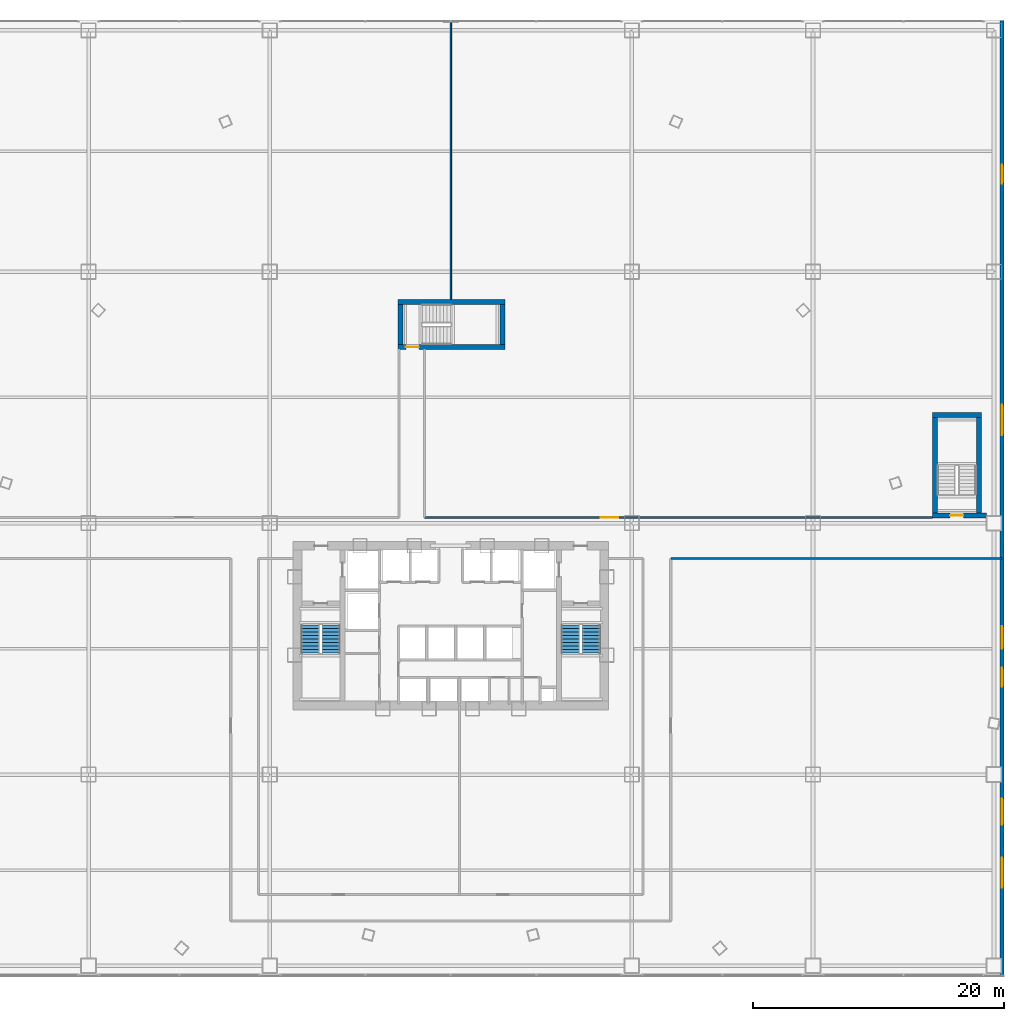
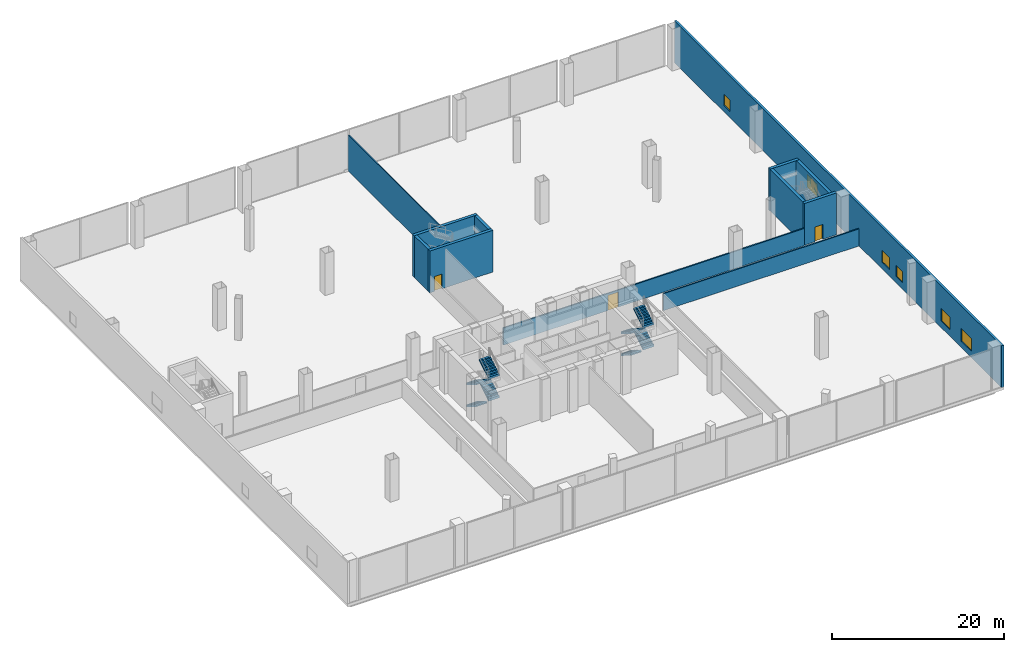
# One storey, part 36 of 41: 12 walls, 8 stair flights, 6 windows, 3 doors, 9 openings, 2 elements without a shape of their own.
"""IFC4 building model written with IfcOpenShell, lengths in metres."""

from ifc_helpers import new_model, si_unit, direction, frame, frame_2d, origin, origin_with_axes, place, context, subcontext, project, spatial, polyline, rectangle, outline, extrude, source, transform, mapped, material, layer, layer_set, type_object, element, fill, aggregate, save


model = new_model("IFC4")

# Units and contexts
model_context = context("Model", 3, precision=1e-05, world=origin(), true_north=direction((0.0, 1.0)))
body_context = subcontext(model_context, "Body", "Model", "MODEL_VIEW")
ifc_project = project(units=[si_unit("LENGTHUNIT", "METRE"), si_unit("AREAUNIT", "SQUARE_METRE"), si_unit("VOLUMEUNIT", "CUBIC_METRE"), si_unit("PLANEANGLEUNIT", "RADIAN"), si_unit("MASSUNIT", "GRAM", prefix="KILO"), si_unit("THERMODYNAMICTEMPERATUREUNIT", "KELVIN"), si_unit("POWERUNIT", "WATT")], contexts=[model_context])

# Site, building, storey
site_placement = place(None, origin())
site = spatial("IfcSite", under=ifc_project, at=site_placement, CompositionType="ELEMENT")
building_placement = place(site_placement, origin())
building = spatial("IfcBuilding", under=site, at=building_placement, Name="Yunzhuo Pagoda Commons", CompositionType="ELEMENT")
storey_placement = place(building_placement, frame((0.0, 0.0, 19.199951171875)))
storey = spatial("IfcBuildingStorey", under=building, at=storey_placement, Name="L05", CompositionType="ELEMENT", Elevation=19.199951171875)

# Wall, openings, windows
ifc_material_1 = material(Name="Precast concrete C40", Category="concrete")
ifc_layer_1 = layer(ifc_material_1, 0.300048828125)
ifc_layer_set_1 = layer_set([ifc_layer_1], Name="Precast concrete C40")
wall_type_1 = type_object("IfcWallType", Name="W-EXT1 Podium Precast Spandrel Wall 300", PredefinedType="STANDARD", material=ifc_layer_set_1)
wall_1_placement = place(storey_placement, frame((91.85009765625, 6.0, 0.0), z_axis=(0.0, 0.0, 1.0), x_axis=(0.0, 1.0, 0.0)))
wall_1 = element("IfcWall", 1, at=wall_1_placement, inside=storey, type_object=wall_type_1, Name="L05 E precast spandrel wall", PredefinedType="STANDARD", context=body_context, shape_type="SweptSolid", body=[
    extrude(rectangle(XDim=76.0, YDim=0.300048828125, at=frame_2d((38.0, 0.0))), origin(), (0.0, 0.0, 1.0), 5.920166015625),
])
opening_1_placement = place(wall_1_placement, frame((7.0, 0.0, 0.89990234375)))
opening_1 = element("IfcOpeningElement", 2, at=opening_1_placement, cuts=wall_1, Name="Opening W-01", PredefinedType="OPENING", context=body_context, shape_type="SweptSolid", body=[
    extrude(rectangle(XDim=2.39990234375, YDim=1.800048828125, at=frame_2d((1.199951171875, 0.89990234375))), frame((0.0, 0.16015625, 0.0), z_axis=(0.0, -1.0, 0.0), x_axis=(1.0, 0.0, 0.0)), (0.0, 0.0, 1.0), 0.320068359375),
])
opening_2_placement = place(wall_1_placement, frame((23.0, 0.0, 0.89990234375)))
opening_2 = element("IfcOpeningElement", 3, at=opening_2_placement, cuts=wall_1, Name="Opening W-02", PredefinedType="OPENING", context=body_context, shape_type="SweptSolid", body=[
    extrude(rectangle(XDim=1.5, YDim=1.60009765625, at=frame_2d((0.75, 0.800048828125))), frame((0.0, 0.16015625, 0.0), z_axis=(0.0, -1.0, 0.0), x_axis=(1.0, 0.0, 0.0)), (0.0, 0.0, 1.0), 0.320068359375),
])
opening_3_placement = place(wall_1_placement, frame((43.0, 0.0, 0.89990234375)))
opening_3 = element("IfcOpeningElement", 4, at=opening_3_placement, cuts=wall_1, Name="Opening W-01", PredefinedType="OPENING", context=body_context, shape_type="SweptSolid", body=[
    extrude(rectangle(XDim=2.39990234375, YDim=1.800048828125, at=frame_2d((1.199951171875, 0.89990234375))), frame((0.0, 0.16015625, 0.0), z_axis=(0.0, -1.0, 0.0), x_axis=(1.0, 0.0, 0.0)), (0.0, 0.0, 1.0), 0.320068359375),
])
opening_4_placement = place(wall_1_placement, frame((63.0, 0.0, 0.89990234375)))
opening_4 = element("IfcOpeningElement", 5, at=opening_4_placement, cuts=wall_1, Name="Opening W-02", PredefinedType="OPENING", context=body_context, shape_type="SweptSolid", body=[
    extrude(rectangle(XDim=1.5, YDim=1.60009765625, at=frame_2d((0.75, 0.800048828125))), frame((0.0, 0.16015625, 0.0), z_axis=(0.0, -1.0, 0.0), x_axis=(1.0, 0.0, 0.0)), (0.0, 0.0, 1.0), 0.320068359375),
])
opening_5_placement = place(wall_1_placement, frame((12.0, 0.0, 0.949951171875)))
opening_5 = element("IfcOpeningElement", 6, at=opening_5_placement, cuts=wall_1, Name="Opening W-03", PredefinedType="OPENING", context=body_context, shape_type="SweptSolid", body=[
    extrude(rectangle(XDim=2.10009765625, YDim=1.75, at=frame_2d((1.050048828125, 0.875))), frame((0.0, 0.16015625, 0.0), z_axis=(0.0, -1.0, 0.0), x_axis=(1.0, 0.0, 0.0)), (0.0, 0.0, 1.0), 0.320068359375),
])
opening_6_placement = place(wall_1_placement, frame((26.0, 0.0, 0.949951171875)))
opening_6 = element("IfcOpeningElement", 7, at=opening_6_placement, cuts=wall_1, Name="Opening W-04", PredefinedType="OPENING", context=body_context, shape_type="SweptSolid", body=[
    extrude(rectangle(XDim=1.800048828125, YDim=1.699951171875, at=frame_2d((0.89990234375, 0.85009765625))), frame((0.0, 0.16015625, 0.0), z_axis=(0.0, -1.0, 0.0), x_axis=(1.0, 0.0, 0.0)), (0.0, 0.0, 1.0), 0.320068359375),
])
ifc_material_2 = material(Name="Tempered low-e double glazing", Category="glass")
window_type_1 = type_object("IfcWindowType", Name="W-01 Podium Fixed Ribbon Window 2400x1800", PartitioningType="DOUBLE_PANEL_VERTICAL", PredefinedType="WINDOW", material=ifc_material_2)
shared_shape_1 = source(origin(), body_context, "Body", "SweptSolid", [
    extrude(rectangle(XDim=2.39990234375, YDim=1.800048828125, at=frame_2d((1.199951171875, 0.89990234375))), frame((0.0, 0.030029296875, 0.0), z_axis=(0.0, -1.0, 0.0), x_axis=(1.0, 0.0, 0.0)), (0.0, 0.0, 1.0), 0.06005859375),
])
window_1_placement = place(opening_1_placement, origin_with_axes())
window_1 = element("IfcWindow", 8, at=window_1_placement, inside=storey, type_object=window_type_1, Name="L05 E window 1", OverallHeight=1.800048828125, OverallWidth=2.39990234375, PartitioningType="SINGLE_PANEL", PredefinedType="WINDOW", context=body_context, shape_type="MappedRepresentation", body=[
    mapped(shared_shape_1, transform((0.0, 0.0, 0.0), scale=1.0)),
])
fill(opening_1, window_1)
window_2_placement = place(opening_3_placement, origin_with_axes())
window_2 = element("IfcWindow", 9, at=window_2_placement, inside=storey, type_object=window_type_1, Name="L05 E window 3", OverallHeight=1.800048828125, OverallWidth=2.39990234375, PartitioningType="SINGLE_PANEL", PredefinedType="WINDOW", context=body_context, shape_type="MappedRepresentation", body=[
    mapped(shared_shape_1, transform((0.0, 0.0, 0.0), scale=1.0)),
])
fill(opening_3, window_2)
window_type_2 = type_object("IfcWindowType", Name="W-02 Podium Casement Window 1500x1600", PartitioningType="SINGLE_PANEL", PredefinedType="WINDOW", material=ifc_material_2)
shared_shape_2 = source(origin(), body_context, "Body", "SweptSolid", [
    extrude(rectangle(XDim=1.5, YDim=1.60009765625, at=frame_2d((0.75, 0.800048828125))), frame((0.0, 0.030029296875, 0.0), z_axis=(0.0, -1.0, 0.0), x_axis=(1.0, 0.0, 0.0)), (0.0, 0.0, 1.0), 0.06005859375),
])
window_3_placement = place(opening_2_placement, origin_with_axes())
window_3 = element("IfcWindow", 10, at=window_3_placement, inside=storey, type_object=window_type_2, Name="L05 E window 2", OverallHeight=1.60009765625, OverallWidth=1.5, PartitioningType="SINGLE_PANEL", PredefinedType="WINDOW", context=body_context, shape_type="MappedRepresentation", body=[
    mapped(shared_shape_2, transform((0.0, 0.0, 0.0), scale=1.0)),
])
fill(opening_2, window_3)
window_4_placement = place(opening_4_placement, origin_with_axes())
window_4 = element("IfcWindow", 11, at=window_4_placement, inside=storey, type_object=window_type_2, Name="L05 E window 4", OverallHeight=1.60009765625, OverallWidth=1.5, PartitioningType="SINGLE_PANEL", PredefinedType="WINDOW", context=body_context, shape_type="MappedRepresentation", body=[
    mapped(shared_shape_2, transform((0.0, 0.0, 0.0), scale=1.0)),
])
fill(opening_4, window_4)
window_type_3 = type_object("IfcWindowType", Name="W-03 Podium Acoustic Window 2100x1750", PartitioningType="SINGLE_PANEL", PredefinedType="WINDOW", material=ifc_material_2)
shared_shape_3 = source(origin(), body_context, "Body", "SweptSolid", [
    extrude(rectangle(XDim=2.10009765625, YDim=1.75, at=frame_2d((1.050048828125, 0.875))), frame((0.0, 0.030029296875, 0.0), z_axis=(0.0, -1.0, 0.0), x_axis=(1.0, 0.0, 0.0)), (0.0, 0.0, 1.0), 0.06005859375),
])
window_5_placement = place(opening_5_placement, origin_with_axes())
window_5 = element("IfcWindow", 12, at=window_5_placement, inside=storey, type_object=window_type_3, Name="L05 east acoustic window 1", OverallHeight=1.75, OverallWidth=2.10009765625, PartitioningType="SINGLE_PANEL", PredefinedType="WINDOW", context=body_context, shape_type="MappedRepresentation", body=[
    mapped(shared_shape_3, transform((0.0, 0.0, 0.0), scale=1.0)),
])
fill(opening_5, window_5)
window_type_4 = type_object("IfcWindowType", Name="W-04 Podium Acoustic Window 1800x1700", PartitioningType="SINGLE_PANEL", PredefinedType="WINDOW", material=ifc_material_2)
shared_shape_4 = source(origin(), body_context, "Body", "SweptSolid", [
    extrude(rectangle(XDim=1.800048828125, YDim=1.699951171875, at=frame_2d((0.89990234375, 0.85009765625))), frame((0.0, 0.030029296875, 0.0), z_axis=(0.0, -1.0, 0.0), x_axis=(1.0, 0.0, 0.0)), (0.0, 0.0, 1.0), 0.06005859375),
])
window_6_placement = place(opening_6_placement, origin_with_axes())
window_6 = element("IfcWindow", 13, at=window_6_placement, inside=storey, type_object=window_type_4, Name="L05 east acoustic window 2", OverallHeight=1.699951171875, OverallWidth=1.800048828125, PartitioningType="SINGLE_PANEL", PredefinedType="WINDOW", context=body_context, shape_type="MappedRepresentation", body=[
    mapped(shared_shape_4, transform((0.0, 0.0, 0.0), scale=1.0)),
])
fill(opening_6, window_6)

# Wall
ifc_material_3 = material(Name="Gypsum plasterboard on acoustic stud")
ifc_layer_2 = layer(ifc_material_3, 0.1201171875)
ifc_layer_set_2 = layer_set([ifc_layer_2], Name="Gypsum plasterboard on acoustic stud")
wall_type_2 = type_object("IfcWallType", Name="W-PRT1 Suite & Bathroom Partition 120", PredefinedType="PARTITIONING", material=ifc_layer_set_2)
wall_2_placement = place(storey_placement, frame((48.0, 59.800048828125, 0.0), z_axis=(0.0, 0.0, 1.0), x_axis=(0.0, 1.0, 0.0)))
element("IfcWall", 14, at=wall_2_placement, inside=storey, type_object=wall_type_2, Name="L05 interior wall IW-L05-SPNN", PredefinedType="PARTITIONING", context=body_context, shape_type="SweptSolid", body=[
    extrude(rectangle(XDim=22.099853515625, YDim=0.1201171875, at=frame_2d((11.0498046875, 0.0))), origin(), (0.0, 0.0, 1.0), 5.1201171875),
])

# Wall, opening, door
ifc_layer_3 = layer(ifc_material_3, 0.179931640625)
ifc_layer_set_3 = layer_set([ifc_layer_3], Name="Gypsum plasterboard on acoustic stud")
wall_type_3 = type_object("IfcWallType", Name="W-PRT2 Acoustic Unit Demising Wall 180", PredefinedType="PARTITIONING", material=ifc_layer_set_3)
wall_3_placement = place(storey_placement, frame((45.919921875, 42.449951171875, 0.0), z_axis=(0.0, 0.0, 1.0), x_axis=(1.0, 0.0, 0.0)))
wall_3 = element("IfcWall", 15, at=wall_3_placement, inside=storey, type_object=wall_type_3, Name="L05 interior wall IW-L05-PNWE", PredefinedType="PARTITIONING", context=body_context, shape_type="SweptSolid", body=[
    extrude(rectangle(XDim=40.380126953125, YDim=0.179931640625, at=frame_2d((20.18994140625, 0.0))), origin(), (0.0, 0.0, 1.0), 2.420166015625),
])
opening_7_placement = place(wall_3_placement, frame((14.0, 0.0, 0.0)))
opening_7 = element("IfcOpeningElement", 16, at=opening_7_placement, cuts=wall_3, Name="Opening D-10", PredefinedType="OPENING", context=body_context, shape_type="SweptSolid", body=[
    extrude(rectangle(XDim=1.39990234375, YDim=2.14990234375, at=frame_2d((0.699951171875, 1.074951171875))), frame((0.0, 0.10009765625, 0.0), z_axis=(0.0, -1.0, 0.0), x_axis=(1.0, 0.0, 0.0)), (0.0, 0.0, 1.0), 0.199951171875),
])
ifc_material_4 = material(Name="Galvanized fire-resisting metal leaf")
door_type_1 = type_object("IfcDoorType", Name="D-10 Podium Dining & Library Double Leaf Door 1400x2150", OperationType="NOTDEFINED", PredefinedType="DOOR", material=ifc_material_4)
shared_shape_5 = source(origin(), body_context, "Body", "SweptSolid", [
    extrude(rectangle(XDim=1.39990234375, YDim=2.14990234375, at=frame_2d((0.699951171875, 1.074951171875))), frame((0.0, 0.02490234375, 0.0), z_axis=(0.0, -1.0, 0.0), x_axis=(1.0, 0.0, 0.0)), (0.0, 0.0, 1.0), 0.050048828125),
])
door_1_placement = place(opening_7_placement, origin_with_axes())
door_1 = element("IfcDoor", 17, at=door_1_placement, inside=storey, type_object=door_type_1, Name="L05 Fitness and Wellness Commons door E", OperationType="SINGLE_SWING_LEFT", OverallHeight=2.14990234375, OverallWidth=1.39990234375, PredefinedType="DOOR", context=body_context, shape_type="MappedRepresentation", body=[
    mapped(shared_shape_5, transform((0.0, 0.0, 0.0), scale=1.0)),
])
fill(opening_7, door_1)

# Walls
wall_4_placement = place(storey_placement, frame((65.5, 39.199951171875, 0.0), z_axis=(0.0, 0.0, 1.0), x_axis=(1.0, 0.0, 0.0)))
element("IfcWall", 18, at=wall_4_placement, inside=storey, type_object=wall_type_3, Name="L05 interior wall IW-L05-PEASTN", PredefinedType="PARTITIONING", context=body_context, shape_type="SweptSolid", body=[
    extrude(rectangle(XDim=26.35009765625, YDim=0.179931640625, at=frame_2d((13.175048828125, 0.0))), origin(), (0.0, 0.0, 1.0), 2.420166015625),
])
ifc_material_5 = material(Name="Concrete C60", Category="concrete")
ifc_layer_4 = layer(ifc_material_5, 0.39990234375)
ifc_layer_set_4 = layer_set([ifc_layer_4], Name="Concrete C60")
wall_type_4 = type_object("IfcWallType", Name="W-S01 Internal Core Shear Web 400", PredefinedType="SHEAR", material=ifc_layer_set_4)
wall_5_placement = place(storey_placement, frame((86.300048828125, 50.60009765625, 0.0), z_axis=(0.0, 0.0, 1.0), x_axis=(1.0, 0.0, 0.0)))
element("IfcWall", 19, at=wall_5_placement, inside=storey, type_object=wall_type_4, Name="L05 PS4 structural stair wall N", PredefinedType="SHEAR", context=body_context, shape_type="SweptSolid", body=[
    extrude(rectangle(XDim=3.89990234375, YDim=0.39990234375, at=frame_2d((1.949951171875, 0.0))), origin(), (0.0, 0.0, 1.0), 5.920166015625),
])

# Wall, opening, door
wall_6_placement = place(storey_placement, frame((86.300048828125, 42.60009765625, 0.0), z_axis=(0.0, 0.0, 1.0), x_axis=(1.0, 0.0, 0.0)))
wall_6 = element("IfcWall", 20, at=wall_6_placement, inside=storey, type_object=wall_type_4, Name="L05 PS4 structural stair wall S", PredefinedType="SHEAR", context=body_context, shape_type="SweptSolid", body=[
    extrude(rectangle(XDim=4.300048828125, YDim=0.39990234375, at=frame_2d((2.14990234375, 0.0))), origin(), (0.0, 0.0, 1.0), 5.920166015625),
])
opening_8_placement = place(wall_6_placement, frame((1.419921875, 0.0, 0.0)))
opening_8 = element("IfcOpeningElement", 21, at=opening_8_placement, cuts=wall_6, Name="Opening D-01", PredefinedType="OPENING", context=body_context, shape_type="SweptSolid", body=[
    extrude(rectangle(XDim=1.050048828125, YDim=2.10009765625, at=frame_2d((0.52490234375, 1.050048828125))), frame((0.0, 0.2099609375, 0.0), z_axis=(0.0, -1.0, 0.0), x_axis=(1.0, 0.0, 0.0)), (0.0, 0.0, 1.0), 0.419921875),
])
door_type_2 = type_object("IfcDoorType", Name="D-01 Smokeproof Stair Fire Door 1050x2100", OperationType="NOTDEFINED", PredefinedType="DOOR", material=ifc_material_4)
shared_shape_6 = source(origin(), body_context, "Body", "SweptSolid", [
    extrude(rectangle(XDim=1.050048828125, YDim=2.10009765625, at=frame_2d((0.52490234375, 1.050048828125))), frame((0.0, 0.02490234375, 0.0), z_axis=(0.0, -1.0, 0.0), x_axis=(1.0, 0.0, 0.0)), (0.0, 0.0, 1.0), 0.050048828125),
])
door_2_placement = place(opening_8_placement, frame((1.050048828125, 0.0, 0.0), z_axis=(0.0, 0.0, 1.0), x_axis=(-1.0, 0.0, 0.0)))
door_2 = element("IfcDoor", 22, at=door_2_placement, inside=storey, type_object=door_type_2, Name="L05 PS4 stair fire door", OperationType="SINGLE_SWING_RIGHT", OverallHeight=2.10009765625, OverallWidth=1.050048828125, PredefinedType="DOOR", context=body_context, shape_type="MappedRepresentation", body=[
    mapped(shared_shape_6, transform((0.0, 0.0, 0.0), scale=1.0)),
])
fill(opening_8, door_2)

# Walls
for number, where, z_axis, x_axis, name in (
    (23, (86.5, 42.800048828125, 0.0), (0.0, 0.0, 1.0), (0.0, 1.0, 0.0), "L05 PS4 structural stair wall W"),
    (24, (90.0, 42.800048828125, 0.0), (0.0, 0.0, 1.0), (0.0, 1.0, 0.0), "L05 PS4 structural stair wall E"),
):
    element("IfcWall", number, at=place(storey_placement, frame(where, z_axis=z_axis, x_axis=x_axis)), inside=storey, type_object=wall_type_4, Name=name, PredefinedType="SHEAR", context=body_context, shape_type="SweptSolid", body=[
        extrude(rectangle(XDim=7.599853515625, YDim=0.39990234375, at=frame_2d((3.7998046875, 0.0))), origin(), (0.0, 0.0, 1.0), 5.920166015625),
    ])
wall_7_placement = place(storey_placement, frame((43.800048828125, 59.60009765625, 0.0), z_axis=(0.0, 0.0, 1.0), x_axis=(1.0, 0.0, 0.0)))
element("IfcWall", 25, at=wall_7_placement, inside=storey, type_object=wall_type_4, Name="L05 ST3 structural stair wall N", PredefinedType="SHEAR", context=body_context, shape_type="SweptSolid", body=[
    extrude(rectangle(XDim=8.5, YDim=0.39990234375, at=frame_2d((4.25, 0.0))), origin(), (0.0, 0.0, 1.0), 5.920166015625),
])

# Wall, opening, door
wall_8_placement = place(storey_placement, frame((43.800048828125, 56.0, 0.0), z_axis=(0.0, 0.0, 1.0), x_axis=(1.0, 0.0, 0.0)))
wall_8 = element("IfcWall", 26, at=wall_8_placement, inside=storey, type_object=wall_type_4, Name="L05 ST3 structural stair wall S", PredefinedType="SHEAR", context=body_context, shape_type="SweptSolid", body=[
    extrude(rectangle(XDim=8.5, YDim=0.39990234375, at=frame_2d((4.25, 0.0))), origin(), (0.0, 0.0, 1.0), 5.920166015625),
])
opening_9_placement = place(wall_8_placement, frame((0.6201171875, 0.0, 0.0)))
opening_9 = element("IfcOpeningElement", 27, at=opening_9_placement, cuts=wall_8, Name="Opening D-01", PredefinedType="OPENING", context=body_context, shape_type="SweptSolid", body=[
    extrude(rectangle(XDim=1.050048828125, YDim=2.10009765625, at=frame_2d((0.52490234375, 1.050048828125))), frame((0.0, 0.2099609375, 0.0), z_axis=(0.0, -1.0, 0.0), x_axis=(1.0, 0.0, 0.0)), (0.0, 0.0, 1.0), 0.419921875),
])
door_3_placement = place(opening_9_placement, frame((1.050048828125, 0.0, 0.0), z_axis=(0.0, 0.0, 1.0), x_axis=(-1.0, 0.0, 0.0)))
door_3 = element("IfcDoor", 28, at=door_3_placement, inside=storey, type_object=door_type_2, Name="L05 Stair ST3 fire door", OperationType="SINGLE_SWING_LEFT", OverallHeight=2.10009765625, OverallWidth=1.050048828125, PredefinedType="DOOR", context=body_context, shape_type="MappedRepresentation", body=[
    mapped(shared_shape_6, transform((0.0, 0.0, 0.0), scale=1.0)),
])
fill(opening_9, door_3)

# Walls
for number, where, z_axis, x_axis, name in (
    (29, (44.0, 56.199951171875, 0.0), (0.0, 0.0, 1.0), (0.0, 1.0, 0.0), "L05 ST3 structural stair wall W"),
    (30, (52.10009765625, 56.199951171875, 0.0), (0.0, 0.0, 1.0), (0.0, 1.0, 0.0), "L05 ST3 structural stair wall E"),
):
    element("IfcWall", number, at=place(storey_placement, frame(where, z_axis=z_axis, x_axis=x_axis)), inside=storey, type_object=wall_type_4, Name=name, PredefinedType="SHEAR", context=body_context, shape_type="SweptSolid", body=[
        extrude(rectangle(XDim=3.199951171875, YDim=0.39990234375, at=frame_2d((1.60009765625, 0.0))), origin(), (0.0, 0.0, 1.0), 5.920166015625),
    ])

# Stair, stair flights
ifc_material_6 = material(Name="Concrete C40", Category="concrete")
stair_type_1 = type_object("IfcStairType", Name="ST-C1 Core Smokeproof Stair ST1", PredefinedType="HALF_TURN_STAIR", material=ifc_material_6)
stair_1_placement = place(storey_placement, origin())
stair_1 = element("IfcStair", 31, at=stair_1_placement, inside=storey, type_object=stair_type_1, Name="L05 Core smokeproof stair ST1", PredefinedType="HALF_TURN_STAIR")
stair_flight_type_1 = type_object("IfcStairFlightType", Name="STF-C1 Core Stair Flight 1450", PredefinedType="STRAIGHT", material=ifc_material_6)
shared_shape_7 = source(origin(), body_context, "Body", "SweptSolid", [
    extrude(outline(polyline([(0.0, -0.14990234375), (0.0, 0.0), (0.0, 0.172119140625), (0.280029296875, 0.172119140625), (0.280029296875, 0.344482421875), (0.56005859375, 0.344482421875), (0.56005859375, 0.5166015625), (0.840087890625, 0.5166015625), (0.840087890625, 0.68896484375), (1.1201171875, 0.68896484375), (1.1201171875, 0.861083984375), (1.39990234375, 0.861083984375), (1.39990234375, 1.033447265625), (1.679931640625, 1.033447265625), (1.679931640625, 1.20556640625), (1.9599609375, 1.20556640625), (1.9599609375, 1.377685546875), (2.239990234375, 1.377685546875), (2.239990234375, 1.550048828125), (2.239990234375, 1.201904296875), (0.2861328125, 0.0), (0.050048828125, -0.14990234375), (0.0, -0.14990234375)])), frame((0.0, 0.72509765625, 0.0), z_axis=(0.0, -1.0, 0.0), x_axis=(1.0, 0.0, 0.0)), (0.0, 0.0, 1.0), 1.449951171875),
])
stair_flight_1_placement = place(storey_placement, frame((36.824951171875, 33.89990234375, 0.0), z_axis=(0.0, 0.0, 1.0), x_axis=(0.0, -1.0, 0.0)))
stair_flight_1 = element("IfcStairFlight", 32, at=stair_flight_1_placement, type_object=stair_flight_type_1, Name="ST1 flight 1", NumberOfRisers=9, NumberOfTreads=8, PredefinedType="STRAIGHT", RiserHeight=0.172222222, TreadLength=0.28, context=body_context, shape_type="MappedRepresentation", body=[
    mapped(shared_shape_7, transform((0.0, 0.0, 0.0), scale=1.0)),
])
stair_flight_2_placement = place(storey_placement, frame((38.47509765625, 31.659912109375, 1.550048828125), z_axis=(0.0, 0.0, 1.0), x_axis=(0.0, 1.0, 0.0)))
stair_flight_2 = element("IfcStairFlight", 33, at=stair_flight_2_placement, type_object=stair_flight_type_1, Name="ST1 flight 2", NumberOfRisers=9, NumberOfTreads=8, PredefinedType="STRAIGHT", RiserHeight=0.172222222, TreadLength=0.28, context=body_context, shape_type="MappedRepresentation", body=[
    mapped(shared_shape_7, transform((0.0, 0.0, 0.0), scale=1.0)),
])
stair_flight_3_placement = place(storey_placement, frame((36.824951171875, 33.89990234375, 3.10009765625), z_axis=(0.0, 0.0, 1.0), x_axis=(0.0, -1.0, 0.0)))
stair_flight_3 = element("IfcStairFlight", 34, at=stair_flight_3_placement, type_object=stair_flight_type_1, Name="ST1 flight 3", NumberOfRisers=9, NumberOfTreads=8, PredefinedType="STRAIGHT", RiserHeight=0.172222222, TreadLength=0.28, context=body_context, shape_type="MappedRepresentation", body=[
    mapped(shared_shape_7, transform((0.0, 0.0, 0.0), scale=1.0)),
])
stair_flight_4_placement = place(storey_placement, frame((38.47509765625, 31.659912109375, 4.650146484375), z_axis=(0.0, 0.0, 1.0), x_axis=(0.0, 1.0, 0.0)))
stair_flight_4 = element("IfcStairFlight", 35, at=stair_flight_4_placement, type_object=stair_flight_type_1, Name="ST1 flight 4", NumberOfRisers=9, NumberOfTreads=8, PredefinedType="STRAIGHT", RiserHeight=0.172222222, TreadLength=0.28, context=body_context, shape_type="MappedRepresentation", body=[
    mapped(shared_shape_7, transform((0.0, 0.0, 0.0), scale=1.0)),
])
aggregate(stair_1, [stair_flight_1, stair_flight_2, stair_flight_3, stair_flight_4])

stair_type_2 = type_object("IfcStairType", Name="ST-C2 Core Smokeproof Stair ST2", PredefinedType="HALF_TURN_STAIR", material=ifc_material_6)
stair_2_placement = place(storey_placement, origin())
stair_2 = element("IfcStair", 36, at=stair_2_placement, inside=storey, type_object=stair_type_2, Name="L05 Core smokeproof stair ST2", PredefinedType="HALF_TURN_STAIR")
stair_flight_type_2 = type_object("IfcStairFlightType", Name="STF-C2 Core Stair Flight 1460", PredefinedType="STRAIGHT", material=ifc_material_6)
stair_flight_5_placement = place(storey_placement, frame((57.52490234375, 33.89990234375, 0.0), z_axis=(0.0, 0.0, 1.0), x_axis=(0.0, -1.0, 0.0)))
stair_flight_5 = element("IfcStairFlight", 37, at=stair_flight_5_placement, type_object=stair_flight_type_2, Name="ST2 flight 1", NumberOfRisers=9, NumberOfTreads=8, PredefinedType="STRAIGHT", RiserHeight=0.172222222, TreadLength=0.28, context=body_context, shape_type="MappedRepresentation", body=[
    mapped(shared_shape_7, transform((0.0, 0.0, 0.0), scale=1.0)),
])
stair_flight_6_placement = place(storey_placement, frame((59.175048828125, 31.659912109375, 1.550048828125), z_axis=(0.0, 0.0, 1.0), x_axis=(0.0, 1.0, 0.0)))
stair_flight_6 = element("IfcStairFlight", 38, at=stair_flight_6_placement, type_object=stair_flight_type_2, Name="ST2 flight 2", NumberOfRisers=9, NumberOfTreads=8, PredefinedType="STRAIGHT", RiserHeight=0.172222222, TreadLength=0.28, context=body_context, shape_type="MappedRepresentation", body=[
    mapped(shared_shape_7, transform((0.0, 0.0, 0.0), scale=1.0)),
])
stair_flight_7_placement = place(storey_placement, frame((57.52490234375, 33.89990234375, 3.10009765625), z_axis=(0.0, 0.0, 1.0), x_axis=(0.0, -1.0, 0.0)))
stair_flight_7 = element("IfcStairFlight", 39, at=stair_flight_7_placement, type_object=stair_flight_type_2, Name="ST2 flight 3", NumberOfRisers=9, NumberOfTreads=8, PredefinedType="STRAIGHT", RiserHeight=0.172222222, TreadLength=0.28, context=body_context, shape_type="MappedRepresentation", body=[
    mapped(shared_shape_7, transform((0.0, 0.0, 0.0), scale=1.0)),
])
stair_flight_8_placement = place(storey_placement, frame((59.175048828125, 31.659912109375, 4.650146484375), z_axis=(0.0, 0.0, 1.0), x_axis=(0.0, 1.0, 0.0)))
stair_flight_8 = element("IfcStairFlight", 40, at=stair_flight_8_placement, type_object=stair_flight_type_2, Name="ST2 flight 4", NumberOfRisers=9, NumberOfTreads=8, PredefinedType="STRAIGHT", RiserHeight=0.172222222, TreadLength=0.28, context=body_context, shape_type="MappedRepresentation", body=[
    mapped(shared_shape_7, transform((0.0, 0.0, 0.0), scale=1.0)),
])
aggregate(stair_2, [stair_flight_5, stair_flight_6, stair_flight_7, stair_flight_8])

save(model, "model.ifc")
